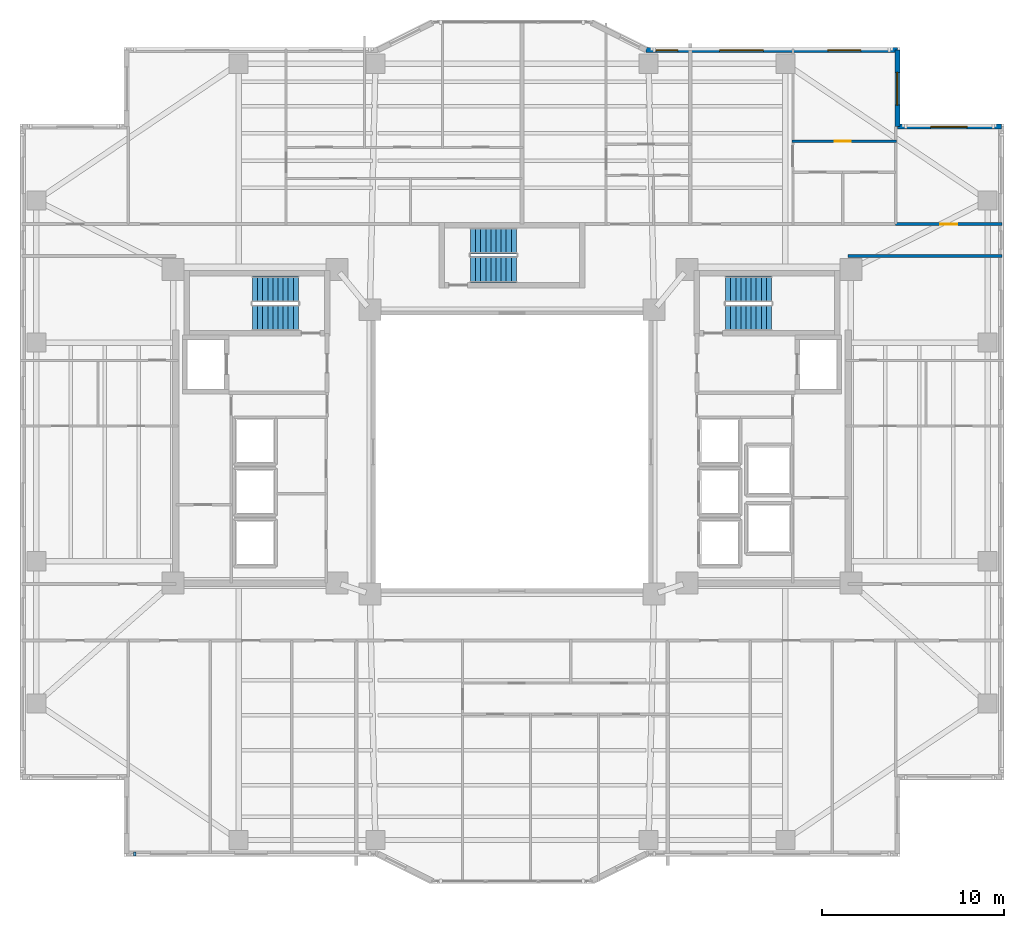
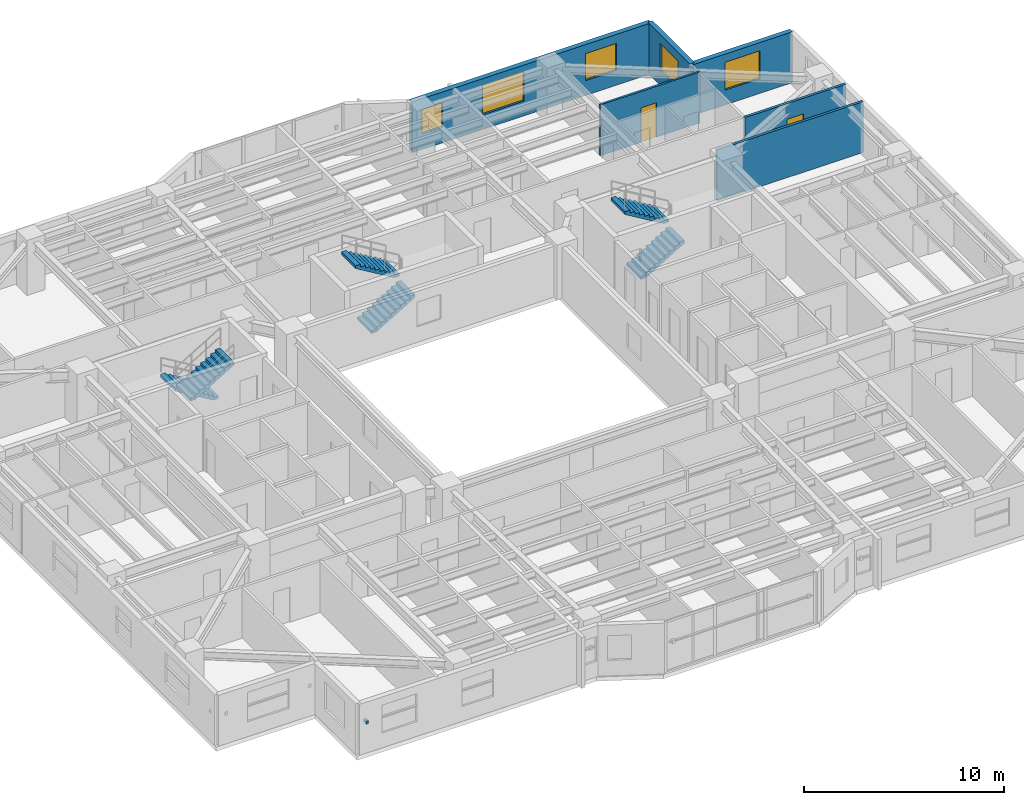
# One storey, part 11 of 18: 6 stair flights, 6 walls, 5 windows, 2 doors, 1 discrete accessory, 7 openings, 3 elements without a shape of their own.
"""IFC4 building model written with IfcOpenShell, lengths in metres."""

from ifc_helpers import new_model, si_unit, direction, frame, frame_2d, origin, origin_2d, place, context, subcontext, project, spatial, polyline, rectangle, outline, extrude, material, layer, layer_set, type_object, element, fill, aggregate, save


model = new_model("IFC4")

# Units and contexts
model_context = context("Model", 3, precision=1e-05, world=origin(), true_north=direction((0.0, 1.0)))
body_context = subcontext(model_context, "Body", "Model", "MODEL_VIEW")
ifc_project = project(units=[si_unit("LENGTHUNIT", "METRE"), si_unit("AREAUNIT", "SQUARE_METRE"), si_unit("VOLUMEUNIT", "CUBIC_METRE"), si_unit("PLANEANGLEUNIT", "RADIAN"), si_unit("MASSUNIT", "GRAM", prefix="KILO")], contexts=[model_context])

# Site, building, storey
site_placement = place(None, origin())
site = spatial("IfcSite", under=ifc_project, at=site_placement, CompositionType="ELEMENT")
building_placement = place(site_placement, origin())
building = spatial("IfcBuilding", under=site, at=building_placement, Name="Tarnavaz Court Tower", CompositionType="ELEMENT")
storey_placement = place(building_placement, frame((0.0, 0.0, 91.699951171875)))
storey = spatial("IfcBuildingStorey", under=building, at=storey_placement, Name="L24", CompositionType="ELEMENT", Elevation=91.699951171875)

# Wall, openings, windows
ifc_material_1 = material(Name="Precast Concrete C40/50", Category="concrete")
ifc_layer_1 = layer(ifc_material_1, 0.280029296875)
ifc_layer_set_1 = layer_set([ifc_layer_1], Name="Precast Concrete C40/50")
wall_type_1 = type_object("IfcWallType", Name="WL-EXT-280", PredefinedType="SOLIDWALL", material=ifc_layer_set_1)
wall_1_placement = place(storey_placement, frame((7.35009765625, 22.050048828125, 0.0), z_axis=(0.0, 0.0, 1.0), x_axis=(1.0, 0.0, 0.0)))
wall_1 = element("IfcWall", 1, at=wall_1_placement, inside=storey, type_object=wall_type_1, Name="L24 Exterior Terracotta Facade Wall 09", PredefinedType="SOLIDWALL", context=body_context, shape_type="SweptSolid", body=[
    extrude(rectangle(XDim=13.7998046875, YDim=0.280029296875, at=frame_2d((6.89990234375, 0.0))), origin(), (0.0, 0.0, 1.0), 3.10009765625),
])
opening_1_placement = place(wall_1_placement, frame((0.55419921875, 0.0, 0.949951171875)))
opening_1 = element("IfcOpeningElement", 2, at=opening_1_placement, cuts=wall_1, Name="Opening W05", PredefinedType="OPENING", context=body_context, shape_type="SweptSolid", body=[
    extrude(rectangle(XDim=1.199951171875, YDim=1.5, at=frame_2d((0.60009765625, 0.75))), frame((0.0, 0.14990234375, 0.0), z_axis=(0.0, -1.0, 0.0), x_axis=(1.0, 0.0, 0.0)), (0.0, 0.0, 1.0), 0.300048828125),
])
opening_2_placement = place(wall_1_placement, frame((4.0439453125, 0.0, 0.89990234375)))
opening_2 = element("IfcOpeningElement", 3, at=opening_2_placement, cuts=wall_1, Name="Opening W06", PredefinedType="OPENING", context=body_context, shape_type="SweptSolid", body=[
    extrude(rectangle(XDim=2.39990234375, YDim=1.800048828125, at=frame_2d((1.199951171875, 0.89990234375))), frame((0.0, 0.14990234375, 0.0), z_axis=(0.0, -1.0, 0.0), x_axis=(1.0, 0.0, 0.0)), (0.0, 0.0, 1.0), 0.300048828125),
])
opening_3_placement = place(wall_1_placement, frame((9.989501953125, 0.0, 0.89990234375)))
opening_3 = element("IfcOpeningElement", 4, at=opening_3_placement, cuts=wall_1, Name="Opening W01", PredefinedType="OPENING", context=body_context, shape_type="SweptSolid", body=[
    extrude(rectangle(XDim=1.800048828125, YDim=1.64990234375, at=frame_2d((0.89990234375, 0.824951171875))), frame((0.0, 0.14990234375, 0.0), z_axis=(0.0, -1.0, 0.0), x_axis=(1.0, 0.0, 0.0)), (0.0, 0.0, 1.0), 0.300048828125),
])
ifc_material_2 = material(Name="Double-Glazed Solar Low-E Glass", Category="glass")
window_type_1 = type_object("IfcWindowType", Name="WN-APT-1200", PartitioningType="SINGLE_PANEL", PredefinedType="WINDOW", material=ifc_material_2)
window_1_placement = place(opening_1_placement, origin())
window_1 = element("IfcWindow", 5, at=window_1_placement, inside=storey, type_object=window_type_1, Name="L24 Flat 02 Bedroom 1 Window", OverallHeight=1.5, OverallWidth=1.199951171875, PartitioningType="SINGLE_PANEL", PredefinedType="WINDOW", context=body_context, shape_type="SweptSolid", body=[
    extrude(rectangle(XDim=1.199951171875, YDim=1.5, at=frame_2d((0.60009765625, 0.75))), frame((0.0, 0.030029296875, 0.0), z_axis=(0.0, -1.0, 0.0), x_axis=(1.0, 0.0, 0.0)), (0.0, 0.0, 1.0), 0.06005859375),
])
fill(opening_1, window_1)
window_type_2 = type_object("IfcWindowType", Name="WN-APT-1800", PartitioningType="DOUBLE_PANEL_VERTICAL", PredefinedType="WINDOW", material=ifc_material_2)
window_2_placement = place(opening_3_placement, origin())
window_2 = element("IfcWindow", 6, at=window_2_placement, inside=storey, type_object=window_type_2, Name="L24 Flat 03 Bedroom 1 Window", OverallHeight=1.64990234375, OverallWidth=1.800048828125, PartitioningType="SINGLE_PANEL", PredefinedType="WINDOW", context=body_context, shape_type="SweptSolid", body=[
    extrude(rectangle(XDim=1.800048828125, YDim=1.64990234375, at=frame_2d((0.89990234375, 0.824951171875))), frame((0.0, 0.030029296875, 0.0), z_axis=(0.0, -1.0, 0.0), x_axis=(1.0, 0.0, 0.0)), (0.0, 0.0, 1.0), 0.06005859375),
])
fill(opening_3, window_2)
window_type_3 = type_object("IfcWindowType", Name="WN-APT-2400", PartitioningType="TRIPLE_PANEL_VERTICAL", PredefinedType="WINDOW", material=ifc_material_2)
window_3_placement = place(opening_2_placement, origin())
window_3 = element("IfcWindow", 7, at=window_3_placement, inside=storey, type_object=window_type_3, Name="L24 Flat 03 Living and Dining Room Window", OverallHeight=1.800048828125, OverallWidth=2.39990234375, PartitioningType="SINGLE_PANEL", PredefinedType="WINDOW", context=body_context, shape_type="SweptSolid", body=[
    extrude(rectangle(XDim=2.39990234375, YDim=1.800048828125, at=frame_2d((1.199951171875, 0.89990234375))), frame((0.0, 0.030029296875, 0.0), z_axis=(0.0, -1.0, 0.0), x_axis=(1.0, 0.0, 0.0)), (0.0, 0.0, 1.0), 0.06005859375),
])
fill(opening_2, window_3)

# Wall, opening, window
wall_2_placement = place(storey_placement, frame((21.14990234375, 22.050048828125, 0.0), z_axis=(0.0, 0.0, 1.0), x_axis=(0.0, -1.0, 0.0)))
wall_2 = element("IfcWall", 8, at=wall_2_placement, inside=storey, type_object=wall_type_1, Name="L24 Exterior Terracotta Facade Wall 10", PredefinedType="SOLIDWALL", context=body_context, shape_type="SweptSolid", body=[
    extrude(rectangle(XDim=4.199951171875, YDim=0.280029296875, at=frame_2d((2.10009765625, 0.0))), origin(), (0.0, 0.0, 1.0), 3.10009765625),
])
opening_4_placement = place(wall_2_placement, frame((1.2177734375, 0.0, 0.89990234375)))
opening_4 = element("IfcOpeningElement", 9, at=opening_4_placement, cuts=wall_2, Name="Opening W01", PredefinedType="OPENING", context=body_context, shape_type="SweptSolid", body=[
    extrude(rectangle(XDim=1.800048828125, YDim=1.64990234375, at=frame_2d((0.89990234375, 0.824951171875))), frame((0.0, 0.14990234375, 0.0), z_axis=(0.0, -1.0, 0.0), x_axis=(1.0, 0.0, 0.0)), (0.0, 0.0, 1.0), 0.300048828125),
])
window_4_placement = place(opening_4_placement, origin())
window_4 = element("IfcWindow", 10, at=window_4_placement, inside=storey, type_object=window_type_2, Name="L24 Flat 03 Bedroom 1 Window", OverallHeight=1.64990234375, OverallWidth=1.800048828125, PartitioningType="SINGLE_PANEL", PredefinedType="WINDOW", context=body_context, shape_type="SweptSolid", body=[
    extrude(rectangle(XDim=1.800048828125, YDim=1.64990234375, at=frame_2d((0.89990234375, 0.824951171875))), frame((0.0, 0.030029296875, 0.0), z_axis=(0.0, -1.0, 0.0), x_axis=(1.0, 0.0, 0.0)), (0.0, 0.0, 1.0), 0.06005859375),
])
fill(opening_4, window_4)

wall_3_placement = place(storey_placement, frame((21.14990234375, 17.85009765625, 0.0), z_axis=(0.0, 0.0, 1.0), x_axis=(1.0, 0.0, 0.0)))
wall_3 = element("IfcWall", 11, at=wall_3_placement, inside=storey, type_object=wall_type_1, Name="L24 Exterior Terracotta Facade Wall 11", PredefinedType="SOLIDWALL", context=body_context, shape_type="SweptSolid", body=[
    extrude(rectangle(XDim=5.7001953125, YDim=0.280029296875, at=frame_2d((2.85009765625, 0.0))), origin(), (0.0, 0.0, 1.0), 3.10009765625),
])
opening_5_placement = place(wall_3_placement, frame((1.824951171875, 0.0, 0.89990234375)))
opening_5 = element("IfcOpeningElement", 12, at=opening_5_placement, cuts=wall_3, Name="Opening W08", PredefinedType="OPENING", context=body_context, shape_type="SweptSolid", body=[
    extrude(rectangle(XDim=2.0, YDim=1.699951171875, at=frame_2d((1.0, 0.85009765625))), frame((0.0, 0.14990234375, 0.0), z_axis=(0.0, -1.0, 0.0), x_axis=(1.0, 0.0, 0.0)), (0.0, 0.0, 1.0), 0.300048828125),
])
window_type_4 = type_object("IfcWindowType", Name="WN-APT-2000", PartitioningType="DOUBLE_PANEL_VERTICAL", PredefinedType="WINDOW", material=ifc_material_2)
window_5_placement = place(opening_5_placement, origin())
window_5 = element("IfcWindow", 13, at=window_5_placement, inside=storey, type_object=window_type_4, Name="L24 North-East Corner Sunroom Study Window", OverallHeight=1.699951171875, OverallWidth=2.0, PartitioningType="SINGLE_PANEL", PredefinedType="WINDOW", context=body_context, shape_type="SweptSolid", body=[
    extrude(rectangle(XDim=2.0, YDim=1.699951171875, at=frame_2d((1.0, 0.85009765625))), frame((0.0, 0.030029296875, 0.0), z_axis=(0.0, -1.0, 0.0), x_axis=(1.0, 0.0, 0.0)), (0.0, 0.0, 1.0), 0.06005859375),
])
fill(opening_5, window_5)

# Wall
ifc_material_3 = material(Name="Gypsum Fire-Board on Acoustic Metal Stud", Category="masonry")
ifc_layer_2 = layer(ifc_material_3, 0.14990234375)
ifc_layer_set_2 = layer_set([ifc_layer_2], Name="Gypsum Fire-Board on Acoustic Metal Stud")
wall_type_2 = type_object("IfcWallType", Name="WL-FIRE-150", PredefinedType="PARTITIONING", material=ifc_layer_set_2)
wall_4_placement = place(storey_placement, frame((18.449951171875, 10.75, 0.0), z_axis=(0.0, 0.0, 1.0), x_axis=(1.0, 0.0, 0.0)))
element("IfcWall", 14, at=wall_4_placement, inside=storey, type_object=wall_type_2, Name="L24 Interior Partition 111", PredefinedType="PARTITIONING", context=body_context, shape_type="SweptSolid", body=[
    extrude(rectangle(XDim=8.429931640625, YDim=0.14990234375, at=frame_2d((4.21484375, 0.0))), origin(), (0.0, 0.0, 1.0), 3.10009765625),
])

# Wall, opening, door
wall_5_placement = place(storey_placement, frame((21.050048828125, 12.5, 0.0), z_axis=(0.0, 0.0, 1.0), x_axis=(1.0, 0.0, 0.0)))
wall_5 = element("IfcWall", 15, at=wall_5_placement, inside=storey, type_object=wall_type_2, Name="L24 Interior Partition 117", PredefinedType="PARTITIONING", context=body_context, shape_type="SweptSolid", body=[
    extrude(rectangle(XDim=5.829833984375, YDim=0.14990234375, at=frame_2d((2.9150390625, 0.0))), origin(), (0.0, 0.0, 1.0), 3.10009765625),
])
opening_6_placement = place(wall_5_placement, frame((2.43994140625, 0.0, 0.0)))
opening_6 = element("IfcOpeningElement", 16, at=opening_6_placement, cuts=wall_5, Name="Opening D13", PredefinedType="OPENING", context=body_context, shape_type="SweptSolid", body=[
    extrude(rectangle(XDim=0.949951171875, YDim=2.14990234375, at=frame_2d((0.47509765625, 1.074951171875))), frame((0.0, 0.0849609375, 0.0), z_axis=(0.0, -1.0, 0.0), x_axis=(1.0, 0.0, 0.0)), (0.0, 0.0, 1.0), 0.169921875),
])
ifc_material_4 = material(Name="Engineered Oak Timber", Category="wood")
door_type_1 = type_object("IfcDoorType", Name="DR-INT-950", OperationType="NOTDEFINED", PredefinedType="DOOR", material=ifc_material_4)
door_1_placement = place(opening_6_placement, origin())
door_1 = element("IfcDoor", 17, at=door_1_placement, inside=storey, type_object=door_type_1, Name="L24 NE Sunroom Door", OperationType="SINGLE_SWING_RIGHT", OverallHeight=2.14990234375, OverallWidth=0.949951171875, PredefinedType="DOOR", context=body_context, shape_type="SweptSolid", body=[
    extrude(rectangle(XDim=0.949951171875, YDim=2.14990234375, at=frame_2d((0.47509765625, 1.074951171875))), frame((0.0, 0.02490234375, 0.0), z_axis=(0.0, -1.0, 0.0), x_axis=(1.0, 0.0, 0.0)), (0.0, 0.0, 1.0), 0.050048828125),
])
fill(opening_6, door_1)

ifc_material_5 = material(Name="Moisture-Resistant Gypsum Board Partition", Category="masonry")
ifc_layer_3 = layer(ifc_material_5, 0.1201171875)
ifc_layer_set_3 = layer_set([ifc_layer_3], Name="Moisture-Resistant Gypsum Board Partition")
wall_type_3 = type_object("IfcWallType", Name="WL-PART-120", PredefinedType="PARTITIONING", material=ifc_layer_set_3)
wall_6_placement = place(storey_placement, frame((15.35302734375, 17.050048828125, 0.0), z_axis=(0.0, 0.0, 1.0), x_axis=(1.0, 0.0, 0.0)))
wall_6 = element("IfcWall", 18, at=wall_6_placement, inside=storey, type_object=wall_type_3, Name="L24 Interior Partition 092", PredefinedType="PARTITIONING", context=body_context, shape_type="SweptSolid", body=[
    extrude(rectangle(XDim=5.757080078125, YDim=0.1201171875, at=frame_2d((2.87841796875, 0.0))), origin(), (0.0, 0.0, 1.0), 3.10009765625),
])
opening_7_placement = place(wall_6_placement, frame((2.34912109375, 0.0, 0.0)))
opening_7 = element("IfcOpeningElement", 19, at=opening_7_placement, cuts=wall_6, Name="Opening D14", PredefinedType="OPENING", context=body_context, shape_type="SweptSolid", body=[
    extrude(rectangle(XDim=0.8798828125, YDim=2.10009765625, at=frame_2d((0.43994140625, 1.050048828125))), frame((0.0, 0.070068359375, 0.0), z_axis=(0.0, -1.0, 0.0), x_axis=(1.0, 0.0, 0.0)), (0.0, 0.0, 1.0), 0.14013671875),
])
door_type_2 = type_object("IfcDoorType", Name="DR-INT-900", OperationType="NOTDEFINED", PredefinedType="DOOR", material=ifc_material_4)
door_2_placement = place(opening_7_placement, origin())
door_2 = element("IfcDoor", 20, at=door_2_placement, inside=storey, type_object=door_type_2, Name="L24 Flat 03 Bedroom 1 Door", OperationType="SINGLE_SWING_LEFT", OverallHeight=2.10009765625, OverallWidth=0.8798828125, PredefinedType="DOOR", context=body_context, shape_type="SweptSolid", body=[
    extrude(rectangle(XDim=0.8798828125, YDim=2.10009765625, at=frame_2d((0.43994140625, 1.050048828125))), frame((0.0, 0.02490234375, 0.0), z_axis=(0.0, -1.0, 0.0), x_axis=(1.0, 0.0, 0.0)), (0.0, 0.0, 1.0), 0.050048828125),
])
fill(opening_7, door_2)

# Stair, stair flights
ifc_material_6 = material(Name="Concrete C40/50", Category="concrete")
stair_type = type_object("IfcStairType", Name="ST-TWR-20R", PredefinedType="HALF_TURN_STAIR", material=ifc_material_6)
stair_1_placement = place(storey_placement, origin())
stair_1 = element("IfcStair", 21, at=stair_1_placement, inside=storey, type_object=stair_type, Name="L24 West Core Pressurized Exit Stair ST-W1", PredefinedType="HALF_TURN_STAIR")
stair_flight_type = type_object("IfcStairFlightType", Name="SFL-RC-20R", PredefinedType="STRAIGHT", material=ifc_material_6)
stair_flight_1_placement = place(storey_placement, frame((-11.719970703125, 8.929931640625, 0.0), z_axis=(0.0, 0.0, 1.0), x_axis=(-1.0, 0.0, 0.0)))
stair_flight_1 = element("IfcStairFlight", 22, at=stair_flight_1_placement, type_object=stair_flight_type, Name="ST-W1 flight 1", NumberOfRisers=10, NumberOfTreads=9, PredefinedType="STRAIGHT", RiserHeight=0.1675, TreadLength=0.28, context=body_context, shape_type="SweptSolid", body=[
    extrude(outline(polyline([(0.0, 0.0), (0.0, 0.16748046875), (0.280029296875, 0.16748046875), (0.280029296875, 0.3349609375), (0.56005859375, 0.3349609375), (0.56005859375, 0.50244140625), (0.840087890625, 0.50244140625), (0.840087890625, 0.669921875), (1.1201171875, 0.669921875), (1.1201171875, 0.83740234375), (1.39990234375, 0.83740234375), (1.39990234375, 1.0048828125), (1.679931640625, 1.0048828125), (1.679931640625, 1.172607421875), (1.9599609375, 1.172607421875), (1.9599609375, 1.340087890625), (2.239990234375, 1.340087890625), (2.239990234375, 1.507568359375), (2.52001953125, 1.507568359375), (2.52001953125, 1.675048828125), (2.52001953125, 1.332763671875), (0.2919921875, 0.0), (0.0, 0.0)])), frame((0.0, 0.7099609375, 0.0), z_axis=(0.0, -1.0, 0.0), x_axis=(1.0, 0.0, 0.0)), (0.0, 0.0, 1.0), 1.419921875),
])
stair_flight_2_placement = place(storey_placement, frame((-14.239990234375, 7.360107421875, 1.675048828125), z_axis=(0.0, 0.0, 1.0), x_axis=(1.0, 0.0, 0.0)))
stair_flight_2 = element("IfcStairFlight", 23, at=stair_flight_2_placement, type_object=stair_flight_type, Name="ST-W1 flight 2", NumberOfRisers=10, NumberOfTreads=9, PredefinedType="STRAIGHT", RiserHeight=0.1675, TreadLength=0.28, context=body_context, shape_type="SweptSolid", body=[
    extrude(outline(polyline([(0.0, 0.0), (0.0, 0.16748046875), (0.280029296875, 0.16748046875), (0.280029296875, 0.3349609375), (0.56005859375, 0.3349609375), (0.56005859375, 0.50244140625), (0.840087890625, 0.50244140625), (0.840087890625, 0.669921875), (1.1201171875, 0.669921875), (1.1201171875, 0.83740234375), (1.39990234375, 0.83740234375), (1.39990234375, 1.0048828125), (1.679931640625, 1.0048828125), (1.679931640625, 1.172607421875), (1.9599609375, 1.172607421875), (1.9599609375, 1.340087890625), (2.239990234375, 1.340087890625), (2.239990234375, 1.507568359375), (2.52001953125, 1.507568359375), (2.52001953125, 1.675048828125), (2.52001953125, 1.332763671875), (0.2919921875, 0.0), (0.0, 0.0)])), frame((0.0, 0.7099609375, 0.0), z_axis=(0.0, -1.0, 0.0), x_axis=(1.0, 0.0, 0.0)), (0.0, 0.0, 1.0), 1.419921875),
])
aggregate(stair_1, [stair_flight_1, stair_flight_2])

stair_2_placement = place(storey_placement, origin())
stair_2 = element("IfcStair", 24, at=stair_2_placement, inside=storey, type_object=stair_type, Name="L24 East Core Pressurized Exit Stair ST-E1", PredefinedType="HALF_TURN_STAIR")
stair_flight_3_placement = place(storey_placement, frame((11.719970703125, 7.360107421875, 0.0), z_axis=(0.0, 0.0, 1.0), x_axis=(1.0, 0.0, 0.0)))
stair_flight_3 = element("IfcStairFlight", 25, at=stair_flight_3_placement, type_object=stair_flight_type, Name="ST-E1 flight 1", NumberOfRisers=10, NumberOfTreads=9, PredefinedType="STRAIGHT", RiserHeight=0.1675, TreadLength=0.28, context=body_context, shape_type="SweptSolid", body=[
    extrude(outline(polyline([(0.0, 0.0), (0.0, 0.16748046875), (0.280029296875, 0.16748046875), (0.280029296875, 0.3349609375), (0.56005859375, 0.3349609375), (0.56005859375, 0.50244140625), (0.840087890625, 0.50244140625), (0.840087890625, 0.669921875), (1.1201171875, 0.669921875), (1.1201171875, 0.83740234375), (1.39990234375, 0.83740234375), (1.39990234375, 1.0048828125), (1.679931640625, 1.0048828125), (1.679931640625, 1.172607421875), (1.9599609375, 1.172607421875), (1.9599609375, 1.340087890625), (2.239990234375, 1.340087890625), (2.239990234375, 1.507568359375), (2.52001953125, 1.507568359375), (2.52001953125, 1.675048828125), (2.52001953125, 1.332763671875), (0.2919921875, 0.0), (0.0, 0.0)])), frame((0.0, 0.7099609375, 0.0), z_axis=(0.0, -1.0, 0.0), x_axis=(1.0, 0.0, 0.0)), (0.0, 0.0, 1.0), 1.419921875),
])
stair_flight_4_placement = place(storey_placement, frame((14.239990234375, 8.929931640625, 1.675048828125), z_axis=(0.0, 0.0, 1.0), x_axis=(-1.0, 0.0, 0.0)))
stair_flight_4 = element("IfcStairFlight", 26, at=stair_flight_4_placement, type_object=stair_flight_type, Name="ST-E1 flight 2", NumberOfRisers=10, NumberOfTreads=9, PredefinedType="STRAIGHT", RiserHeight=0.1675, TreadLength=0.28, context=body_context, shape_type="SweptSolid", body=[
    extrude(outline(polyline([(0.0, 0.0), (0.0, 0.16748046875), (0.280029296875, 0.16748046875), (0.280029296875, 0.3349609375), (0.56005859375, 0.3349609375), (0.56005859375, 0.50244140625), (0.840087890625, 0.50244140625), (0.840087890625, 0.669921875), (1.1201171875, 0.669921875), (1.1201171875, 0.83740234375), (1.39990234375, 0.83740234375), (1.39990234375, 1.0048828125), (1.679931640625, 1.0048828125), (1.679931640625, 1.172607421875), (1.9599609375, 1.172607421875), (1.9599609375, 1.340087890625), (2.239990234375, 1.340087890625), (2.239990234375, 1.507568359375), (2.52001953125, 1.507568359375), (2.52001953125, 1.675048828125), (2.52001953125, 1.332763671875), (0.2919921875, 0.0), (0.0, 0.0)])), frame((0.0, 0.7099609375, 0.0), z_axis=(0.0, -1.0, 0.0), x_axis=(1.0, 0.0, 0.0)), (0.0, 0.0, 1.0), 1.419921875),
])
aggregate(stair_2, [stair_flight_3, stair_flight_4])

stair_3_placement = place(storey_placement, origin())
stair_3 = element("IfcStair", 27, at=stair_3_placement, inside=storey, type_object=stair_type, Name="L24 North Ring Pressurized Exit Stair ST-N1", PredefinedType="HALF_TURN_STAIR")
stair_flight_5_placement = place(storey_placement, frame((-2.280029296875, 10.010009765625, 0.0), z_axis=(0.0, 0.0, 1.0), x_axis=(1.0, 0.0, 0.0)))
stair_flight_5 = element("IfcStairFlight", 28, at=stair_flight_5_placement, type_object=stair_flight_type, Name="ST-N1 flight 1", NumberOfRisers=10, NumberOfTreads=9, PredefinedType="STRAIGHT", RiserHeight=0.1675, TreadLength=0.28, context=body_context, shape_type="SweptSolid", body=[
    extrude(outline(polyline([(0.0, 0.0), (0.0, 0.16748046875), (0.280029296875, 0.16748046875), (0.280029296875, 0.3349609375), (0.56005859375, 0.3349609375), (0.56005859375, 0.50244140625), (0.840087890625, 0.50244140625), (0.840087890625, 0.669921875), (1.1201171875, 0.669921875), (1.1201171875, 0.83740234375), (1.39990234375, 0.83740234375), (1.39990234375, 1.0048828125), (1.679931640625, 1.0048828125), (1.679931640625, 1.172607421875), (1.9599609375, 1.172607421875), (1.9599609375, 1.340087890625), (2.239990234375, 1.340087890625), (2.239990234375, 1.507568359375), (2.52001953125, 1.507568359375), (2.52001953125, 1.675048828125), (2.52001953125, 1.332763671875), (0.2919921875, 0.0), (0.0, 0.0)])), frame((0.0, 0.7099609375, 0.0), z_axis=(0.0, -1.0, 0.0), x_axis=(1.0, 0.0, 0.0)), (0.0, 0.0, 1.0), 1.419921875),
])
stair_flight_6_placement = place(storey_placement, frame((0.239990234375, 11.580078125, 1.675048828125), z_axis=(0.0, 0.0, 1.0), x_axis=(-1.0, 0.0, 0.0)))
stair_flight_6 = element("IfcStairFlight", 29, at=stair_flight_6_placement, type_object=stair_flight_type, Name="ST-N1 flight 2", NumberOfRisers=10, NumberOfTreads=9, PredefinedType="STRAIGHT", RiserHeight=0.1675, TreadLength=0.28, context=body_context, shape_type="SweptSolid", body=[
    extrude(outline(polyline([(0.0, 0.0), (0.0, 0.16748046875), (0.280029296875, 0.16748046875), (0.280029296875, 0.3349609375), (0.56005859375, 0.3349609375), (0.56005859375, 0.50244140625), (0.840087890625, 0.50244140625), (0.840087890625, 0.669921875), (1.1201171875, 0.669921875), (1.1201171875, 0.83740234375), (1.39990234375, 0.83740234375), (1.39990234375, 1.0048828125), (1.679931640625, 1.0048828125), (1.679931640625, 1.172607421875), (1.9599609375, 1.172607421875), (1.9599609375, 1.340087890625), (2.239990234375, 1.340087890625), (2.239990234375, 1.507568359375), (2.52001953125, 1.507568359375), (2.52001953125, 1.675048828125), (2.52001953125, 1.332763671875), (0.2919921875, 0.0), (0.0, 0.0)])), frame((0.0, 0.7099609375, 0.0), z_axis=(0.0, -1.0, 0.0), x_axis=(1.0, 0.0, 0.0)), (0.0, 0.0, 1.0), 1.419921875),
])
aggregate(stair_3, [stair_flight_5, stair_flight_6])

# Discrete accessory
ifc_material_7 = material(Name="Anodised Aluminium 6063-T6", Category="aluminium")
discrete_accessory_type = type_object("IfcDiscreteAccessoryType", Name="DA-BRKT-ALU", PredefinedType="BRACKET", material=ifc_material_7)
discrete_accessory_placement = place(storey_placement, frame((-20.699951171875, -22.070068359375, 1.75), z_axis=(0.0, 0.0, 1.0), x_axis=(-1.0, 0.0, 0.0)))
element("IfcDiscreteAccessory", 30, at=discrete_accessory_placement, inside=storey, type_object=discrete_accessory_type, Name="L24 Baguette Outrigger Bracket FBG19-2", PredefinedType="BRACKET", context=body_context, shape_type="SweptSolid", body=[
    extrude(rectangle(XDim=0.139892578125, YDim=0.239990234375, at=origin_2d()), origin(), (0.0, 0.0, 1.0), 0.199951171875),
])

save(model, "model.ifc")
